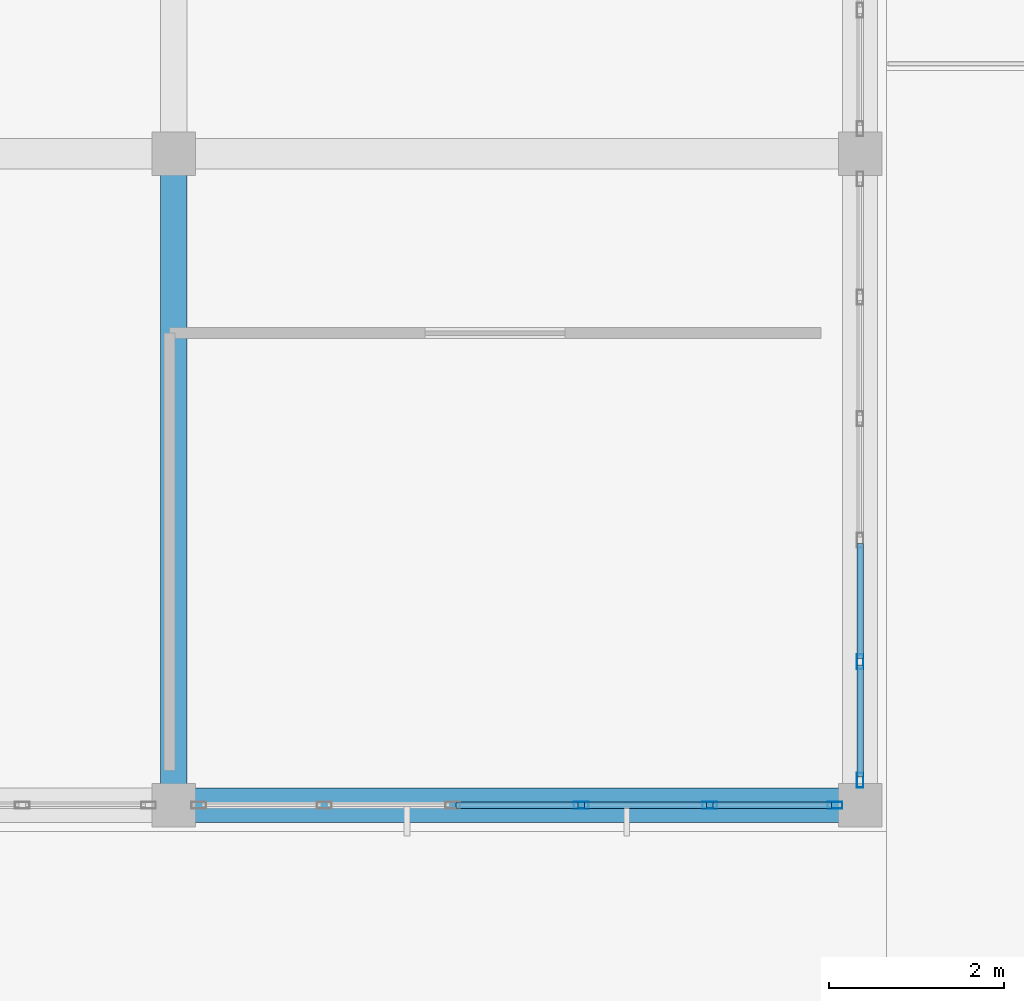
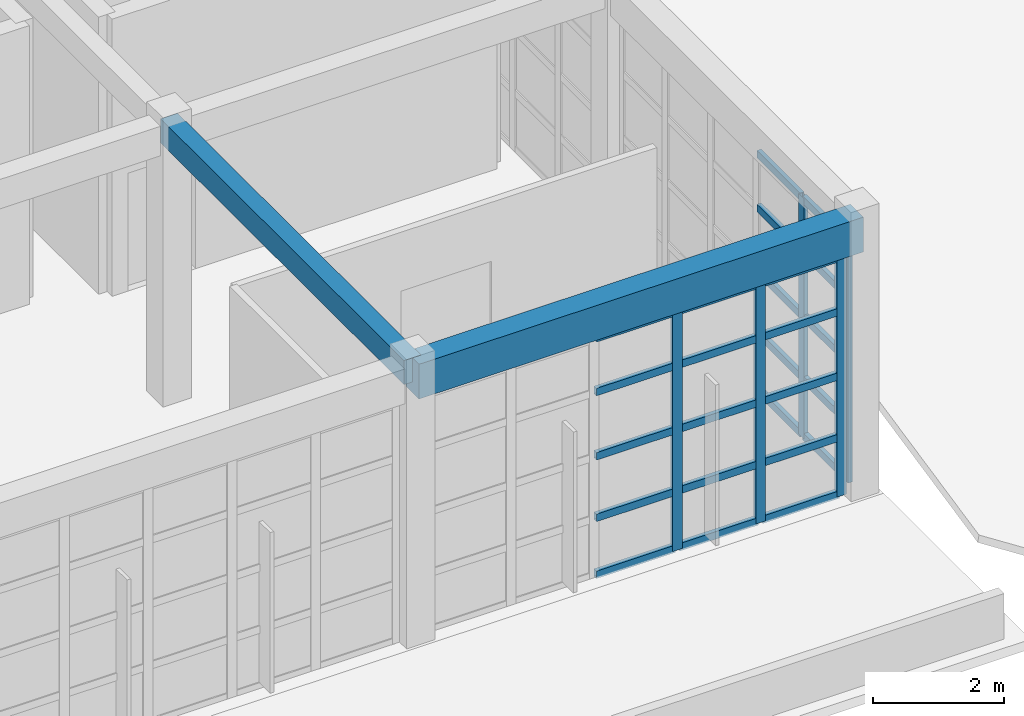
# One storey, part 8 of 103: 30 members, 2 beams, 2 elements without a shape of their own.
"""IFC4 building model written with IfcOpenShell, lengths in metres."""

from ifc_helpers import new_model, si_unit, direction, frame, origin, origin_2d, place, context, subcontext, project, spatial, rectangle, hollow_rectangle, extrude, material, layer, layer_set, material_profile, profile_set, type_object, element, aggregate, save


model = new_model("IFC4")

# Units and contexts
model_context = context("Model", 3, precision=1e-05, world=origin(), true_north=direction((0.0, 1.0)))
body_context = subcontext(model_context, "Body", "Model", "MODEL_VIEW")
ifc_project = project(units=[si_unit("LENGTHUNIT", "METRE"), si_unit("AREAUNIT", "SQUARE_METRE"), si_unit("VOLUMEUNIT", "CUBIC_METRE"), si_unit("PLANEANGLEUNIT", "RADIAN"), si_unit("MASSUNIT", "GRAM", prefix="KILO")], contexts=[model_context])

# Site, building, storey
site_placement = place(None, origin())
site = spatial("IfcSite", under=ifc_project, at=site_placement, CompositionType="ELEMENT")
building_placement = place(site_placement, origin())
building = spatial("IfcBuilding", under=site, at=building_placement, Name="Candilejo Ridge Gondola Terminal", CompositionType="ELEMENT")
storey_placement = place(building_placement, frame((0.0, 0.0, 9.0)))
storey = spatial("IfcBuildingStorey", under=building, at=storey_placement, Name="L02", CompositionType="ELEMENT", Elevation=9.0)

# Curtain wall, members
ifc_material_1 = material(Name="Anodised aluminium AA 6063-T6", Category="aluminium")
ifc_layer_1 = layer(ifc_material_1, 0.169921875)
ifc_layer_set_1 = layer_set([ifc_layer_1], Name="ARC-CW-GALLERY-3200-735X449")
curtain_wall_type_1 = type_object("IfcCurtainWallType", Name="ARC-CW-GALLERY-3200-735X449", PredefinedType="NOTDEFINED", material=ifc_layer_set_1)
curtain_wall_1_placement = place(storey_placement, origin())
curtain_wall_1 = element("IfcCurtainWall", 1, at=curtain_wall_1_placement, inside=storey, type_object=curtain_wall_type_1, Name="Curtain wall V1 L02-015", PredefinedType="NOTDEFINED")
ifc_material_2 = material(Name="Anodised aluminium AA 6063-T6", Category="aluminium")
ifc_material_profile_1 = material_profile(ifc_material_2, hollow_rectangle(XDim=0.074951171875, YDim=0.169921875, WallThickness=0.00390625, at=origin_2d()))
ifc_profile_set_1 = profile_set([ifc_material_profile_1], Name="Anodised aluminium AA 6063-T6")
member_type_1 = type_object("IfcMemberType", Name="ARC-CW-MULLION", PredefinedType="MULLION", material=ifc_profile_set_1)
member_1_placement = place(storey_placement, frame((32.659912109375, 10.800048828125, 0.0), z_axis=(0.0, 0.0, 1.0), x_axis=(0.0, 1.0, 0.0)))
member_1 = element("IfcMember", 2, at=member_1_placement, type_object=member_type_1, Name="CW-73X44 mullion 4", PredefinedType="MULLION", context=body_context, shape_type="SweptSolid", body=[
    extrude(hollow_rectangle(XDim=0.074951171875, YDim=0.169921875, WallThickness=0.00390625, at=origin_2d()), origin(), (0.0, 0.0, 1.0), 4.489990234375),
])
member_2_placement = place(storey_placement, frame((34.1298828125, 10.800048828125, 0.0), z_axis=(0.0, 0.0, 1.0), x_axis=(0.0, 1.0, 0.0)))
member_2 = element("IfcMember", 3, at=member_2_placement, type_object=member_type_1, Name="CW-73X44 mullion 5", PredefinedType="MULLION", context=body_context, shape_type="SweptSolid", body=[
    extrude(hollow_rectangle(XDim=0.074951171875, YDim=0.169921875, WallThickness=0.00390625, at=origin_2d()), origin(), (0.0, 0.0, 1.0), 4.489990234375),
])
member_3_placement = place(storey_placement, frame((35.5625, 10.800048828125, 0.0), z_axis=(0.0, 0.0, 1.0), x_axis=(0.0, 1.0, 0.0)))
member_3 = element("IfcMember", 4, at=member_3_placement, type_object=member_type_1, Name="CW-73X44 mullion 6", PredefinedType="MULLION", context=body_context, shape_type="SweptSolid", body=[
    extrude(hollow_rectangle(XDim=0.074951171875, YDim=0.169921875, WallThickness=0.00390625, at=origin_2d()), origin(), (0.0, 0.0, 1.0), 4.489990234375),
])

ifc_material_3 = material(Name="Anodised aluminium AA 6063-T6", Category="aluminium")
ifc_layer_2 = layer(ifc_material_3, 0.169921875)
ifc_layer_set_2 = layer_set([ifc_layer_2], Name="ARC-CW-GALLERY-3200-695X449")
curtain_wall_type_2 = type_object("IfcCurtainWallType", Name="ARC-CW-GALLERY-3200-695X449", PredefinedType="NOTDEFINED", material=ifc_layer_set_2)
curtain_wall_2_placement = place(storey_placement, origin())
curtain_wall_2 = element("IfcCurtainWall", 5, at=curtain_wall_2_placement, inside=storey, type_object=curtain_wall_type_2, Name="Curtain wall V1 L02-026", PredefinedType="NOTDEFINED")
member_4_placement = place(storey_placement, frame((35.85009765625, 11.08740234375, 0.0), z_axis=(0.0, 0.0, 1.0), x_axis=(-1.0, 0.0, 0.0)))
member_4 = element("IfcMember", 6, at=member_4_placement, type_object=member_type_1, Name="CW-69X44 mullion 1", PredefinedType="MULLION", context=body_context, shape_type="SweptSolid", body=[
    extrude(hollow_rectangle(XDim=0.074951171875, YDim=0.169921875, WallThickness=0.00390625, at=origin_2d()), origin(), (0.0, 0.0, 1.0), 4.489990234375),
])
member_5_placement = place(storey_placement, frame((35.85009765625, 12.43994140625, 0.0), z_axis=(0.0, 0.0, 1.0), x_axis=(-1.0, 0.0, 0.0)))
member_5 = element("IfcMember", 7, at=member_5_placement, type_object=member_type_1, Name="CW-69X44 mullion 2", PredefinedType="MULLION", context=body_context, shape_type="SweptSolid", body=[
    extrude(hollow_rectangle(XDim=0.074951171875, YDim=0.169921875, WallThickness=0.00390625, at=origin_2d()), origin(), (0.0, 0.0, 1.0), 4.489990234375),
])

# Member
ifc_material_4 = material(Name="Anodised aluminium AA 6063-T6", Category="aluminium")
ifc_material_profile_2 = material_profile(ifc_material_4, hollow_rectangle(XDim=0.074951171875, YDim=0.139892578125, WallThickness=0.00390625, at=origin_2d()))
ifc_profile_set_2 = profile_set([ifc_material_profile_2], Name="Anodised aluminium AA 6063-T6")
member_type_2 = type_object("IfcMemberType", Name="ARC-CW-TRANSOM", PredefinedType="USERDEFINED", material=ifc_profile_set_2)
member_6_placement = place(storey_placement, frame((31.2275390625, 10.800048828125, 0.03759765625), z_axis=(1.0, 0.0, 0.0), x_axis=(0.0, 1.0, 0.0)))
member_6 = element("IfcMember", 8, at=member_6_placement, type_object=member_type_2, Name="CW-73X44 transom 3.1", ObjectType="TRANSOM", PredefinedType="USERDEFINED", context=body_context, shape_type="SweptSolid", body=[
    extrude(hollow_rectangle(XDim=0.074951171875, YDim=0.139892578125, WallThickness=0.00390625, at=origin_2d()), origin(), (0.0, 0.0, 1.0), 1.39501953125),
])

member_7_placement = place(storey_placement, frame((31.2275390625, 10.800048828125, 1.10009765625), z_axis=(1.0, 0.0, 0.0), x_axis=(0.0, 1.0, 0.0)))
member_7 = element("IfcMember", 9, at=member_7_placement, type_object=member_type_2, Name="CW-73X44 transom 3.2", ObjectType="TRANSOM", PredefinedType="USERDEFINED", context=body_context, shape_type="SweptSolid", body=[
    extrude(hollow_rectangle(XDim=0.074951171875, YDim=0.139892578125, WallThickness=0.00390625, at=origin_2d()), origin(), (0.0, 0.0, 1.0), 1.39501953125),
])

member_8_placement = place(storey_placement, frame((31.2275390625, 10.800048828125, 2.25), z_axis=(1.0, 0.0, 0.0), x_axis=(0.0, 1.0, 0.0)))
member_8 = element("IfcMember", 10, at=member_8_placement, type_object=member_type_2, Name="CW-73X44 transom 3.3", ObjectType="TRANSOM", PredefinedType="USERDEFINED", context=body_context, shape_type="SweptSolid", body=[
    extrude(hollow_rectangle(XDim=0.074951171875, YDim=0.139892578125, WallThickness=0.00390625, at=origin_2d()), origin(), (0.0, 0.0, 1.0), 1.39501953125),
])

member_9_placement = place(storey_placement, frame((31.2275390625, 10.800048828125, 3.449951171875), z_axis=(1.0, 0.0, 0.0), x_axis=(0.0, 1.0, 0.0)))
member_9 = element("IfcMember", 11, at=member_9_placement, type_object=member_type_2, Name="CW-73X44 transom 3.4", ObjectType="TRANSOM", PredefinedType="USERDEFINED", context=body_context, shape_type="SweptSolid", body=[
    extrude(hollow_rectangle(XDim=0.074951171875, YDim=0.139892578125, WallThickness=0.00390625, at=origin_2d()), origin(), (0.0, 0.0, 1.0), 1.39501953125),
])

member_10_placement = place(storey_placement, frame((31.2275390625, 10.800048828125, 4.452392578125), z_axis=(1.0, 0.0, 0.0), x_axis=(0.0, 1.0, 0.0)))
member_10 = element("IfcMember", 12, at=member_10_placement, type_object=member_type_2, Name="CW-73X44 transom 3.5", ObjectType="TRANSOM", PredefinedType="USERDEFINED", context=body_context, shape_type="SweptSolid", body=[
    extrude(hollow_rectangle(XDim=0.074951171875, YDim=0.139892578125, WallThickness=0.00390625, at=origin_2d()), origin(), (0.0, 0.0, 1.0), 1.39501953125),
])

member_11_placement = place(storey_placement, frame((32.697509765625, 10.800048828125, 0.03759765625), z_axis=(1.0, 0.0, 0.0), x_axis=(0.0, 1.0, 0.0)))
member_11 = element("IfcMember", 13, at=member_11_placement, type_object=member_type_2, Name="CW-73X44 transom 4.1", ObjectType="TRANSOM", PredefinedType="USERDEFINED", context=body_context, shape_type="SweptSolid", body=[
    extrude(hollow_rectangle(XDim=0.074951171875, YDim=0.139892578125, WallThickness=0.00390625, at=origin_2d()), origin(), (0.0, 0.0, 1.0), 1.39501953125),
])

member_12_placement = place(storey_placement, frame((32.697509765625, 10.800048828125, 1.10009765625), z_axis=(1.0, 0.0, 0.0), x_axis=(0.0, 1.0, 0.0)))
member_12 = element("IfcMember", 14, at=member_12_placement, type_object=member_type_2, Name="CW-73X44 transom 4.2", ObjectType="TRANSOM", PredefinedType="USERDEFINED", context=body_context, shape_type="SweptSolid", body=[
    extrude(hollow_rectangle(XDim=0.074951171875, YDim=0.139892578125, WallThickness=0.00390625, at=origin_2d()), origin(), (0.0, 0.0, 1.0), 1.39501953125),
])

member_13_placement = place(storey_placement, frame((32.697509765625, 10.800048828125, 2.25), z_axis=(1.0, 0.0, 0.0), x_axis=(0.0, 1.0, 0.0)))
member_13 = element("IfcMember", 15, at=member_13_placement, type_object=member_type_2, Name="CW-73X44 transom 4.3", ObjectType="TRANSOM", PredefinedType="USERDEFINED", context=body_context, shape_type="SweptSolid", body=[
    extrude(hollow_rectangle(XDim=0.074951171875, YDim=0.139892578125, WallThickness=0.00390625, at=origin_2d()), origin(), (0.0, 0.0, 1.0), 1.39501953125),
])

member_14_placement = place(storey_placement, frame((32.697509765625, 10.800048828125, 3.449951171875), z_axis=(1.0, 0.0, 0.0), x_axis=(0.0, 1.0, 0.0)))
member_14 = element("IfcMember", 16, at=member_14_placement, type_object=member_type_2, Name="CW-73X44 transom 4.4", ObjectType="TRANSOM", PredefinedType="USERDEFINED", context=body_context, shape_type="SweptSolid", body=[
    extrude(hollow_rectangle(XDim=0.074951171875, YDim=0.139892578125, WallThickness=0.00390625, at=origin_2d()), origin(), (0.0, 0.0, 1.0), 1.39501953125),
])

member_15_placement = place(storey_placement, frame((32.697509765625, 10.800048828125, 4.452392578125), z_axis=(1.0, 0.0, 0.0), x_axis=(0.0, 1.0, 0.0)))
member_15 = element("IfcMember", 17, at=member_15_placement, type_object=member_type_2, Name="CW-73X44 transom 4.5", ObjectType="TRANSOM", PredefinedType="USERDEFINED", context=body_context, shape_type="SweptSolid", body=[
    extrude(hollow_rectangle(XDim=0.074951171875, YDim=0.139892578125, WallThickness=0.00390625, at=origin_2d()), origin(), (0.0, 0.0, 1.0), 1.39501953125),
])

member_16_placement = place(storey_placement, frame((34.16748046875, 10.800048828125, 0.03759765625), z_axis=(1.0, 0.0, 0.0), x_axis=(0.0, 1.0, 0.0)))
member_16 = element("IfcMember", 18, at=member_16_placement, type_object=member_type_2, Name="CW-73X44 transom 5.1", ObjectType="TRANSOM", PredefinedType="USERDEFINED", context=body_context, shape_type="SweptSolid", body=[
    extrude(hollow_rectangle(XDim=0.074951171875, YDim=0.139892578125, WallThickness=0.00390625, at=origin_2d()), origin(), (0.0, 0.0, 1.0), 1.357421875),
])

member_17_placement = place(storey_placement, frame((34.16748046875, 10.800048828125, 1.10009765625), z_axis=(1.0, 0.0, 0.0), x_axis=(0.0, 1.0, 0.0)))
member_17 = element("IfcMember", 19, at=member_17_placement, type_object=member_type_2, Name="CW-73X44 transom 5.2", ObjectType="TRANSOM", PredefinedType="USERDEFINED", context=body_context, shape_type="SweptSolid", body=[
    extrude(hollow_rectangle(XDim=0.074951171875, YDim=0.139892578125, WallThickness=0.00390625, at=origin_2d()), origin(), (0.0, 0.0, 1.0), 1.357421875),
])

member_18_placement = place(storey_placement, frame((34.16748046875, 10.800048828125, 2.25), z_axis=(1.0, 0.0, 0.0), x_axis=(0.0, 1.0, 0.0)))
member_18 = element("IfcMember", 20, at=member_18_placement, type_object=member_type_2, Name="CW-73X44 transom 5.3", ObjectType="TRANSOM", PredefinedType="USERDEFINED", context=body_context, shape_type="SweptSolid", body=[
    extrude(hollow_rectangle(XDim=0.074951171875, YDim=0.139892578125, WallThickness=0.00390625, at=origin_2d()), origin(), (0.0, 0.0, 1.0), 1.357421875),
])

member_19_placement = place(storey_placement, frame((34.16748046875, 10.800048828125, 3.449951171875), z_axis=(1.0, 0.0, 0.0), x_axis=(0.0, 1.0, 0.0)))
member_19 = element("IfcMember", 21, at=member_19_placement, type_object=member_type_2, Name="CW-73X44 transom 5.4", ObjectType="TRANSOM", PredefinedType="USERDEFINED", context=body_context, shape_type="SweptSolid", body=[
    extrude(hollow_rectangle(XDim=0.074951171875, YDim=0.139892578125, WallThickness=0.00390625, at=origin_2d()), origin(), (0.0, 0.0, 1.0), 1.357421875),
])

member_20_placement = place(storey_placement, frame((34.16748046875, 10.800048828125, 4.452392578125), z_axis=(1.0, 0.0, 0.0), x_axis=(0.0, 1.0, 0.0)))
member_20 = element("IfcMember", 22, at=member_20_placement, type_object=member_type_2, Name="CW-73X44 transom 5.5", ObjectType="TRANSOM", PredefinedType="USERDEFINED", context=body_context, shape_type="SweptSolid", body=[
    extrude(hollow_rectangle(XDim=0.074951171875, YDim=0.139892578125, WallThickness=0.00390625, at=origin_2d()), origin(), (0.0, 0.0, 1.0), 1.357421875),
])

aggregate(curtain_wall_1, [member_1, member_2, member_3, member_6, member_7, member_8, member_9, member_10, member_11, member_12, member_13, member_14, member_15, member_16, member_17, member_18, member_19, member_20])

member_21_placement = place(storey_placement, frame((35.85009765625, 11.125, 0.03759765625), z_axis=(0.0, 1.0, 0.0), x_axis=(-1.0, 0.0, 0.0)))
member_21 = element("IfcMember", 23, at=member_21_placement, type_object=member_type_2, Name="CW-69X44 transom 1.1", ObjectType="TRANSOM", PredefinedType="USERDEFINED", context=body_context, shape_type="SweptSolid", body=[
    extrude(hollow_rectangle(XDim=0.074951171875, YDim=0.139892578125, WallThickness=0.00390625, at=origin_2d()), origin(), (0.0, 0.0, 1.0), 1.277587890625),
])

member_22_placement = place(storey_placement, frame((35.85009765625, 11.125, 1.10009765625), z_axis=(0.0, 1.0, 0.0), x_axis=(-1.0, 0.0, 0.0)))
member_22 = element("IfcMember", 24, at=member_22_placement, type_object=member_type_2, Name="CW-69X44 transom 1.2", ObjectType="TRANSOM", PredefinedType="USERDEFINED", context=body_context, shape_type="SweptSolid", body=[
    extrude(hollow_rectangle(XDim=0.074951171875, YDim=0.139892578125, WallThickness=0.00390625, at=origin_2d()), origin(), (0.0, 0.0, 1.0), 1.277587890625),
])

member_23_placement = place(storey_placement, frame((35.85009765625, 11.125, 2.25), z_axis=(0.0, 1.0, 0.0), x_axis=(-1.0, 0.0, 0.0)))
member_23 = element("IfcMember", 25, at=member_23_placement, type_object=member_type_2, Name="CW-69X44 transom 1.3", ObjectType="TRANSOM", PredefinedType="USERDEFINED", context=body_context, shape_type="SweptSolid", body=[
    extrude(hollow_rectangle(XDim=0.074951171875, YDim=0.139892578125, WallThickness=0.00390625, at=origin_2d()), origin(), (0.0, 0.0, 1.0), 1.277587890625),
])

member_24_placement = place(storey_placement, frame((35.85009765625, 11.125, 3.449951171875), z_axis=(0.0, 1.0, 0.0), x_axis=(-1.0, 0.0, 0.0)))
member_24 = element("IfcMember", 26, at=member_24_placement, type_object=member_type_2, Name="CW-69X44 transom 1.4", ObjectType="TRANSOM", PredefinedType="USERDEFINED", context=body_context, shape_type="SweptSolid", body=[
    extrude(hollow_rectangle(XDim=0.074951171875, YDim=0.139892578125, WallThickness=0.00390625, at=origin_2d()), origin(), (0.0, 0.0, 1.0), 1.277587890625),
])

member_25_placement = place(storey_placement, frame((35.85009765625, 11.125, 4.452392578125), z_axis=(0.0, 1.0, 0.0), x_axis=(-1.0, 0.0, 0.0)))
member_25 = element("IfcMember", 27, at=member_25_placement, type_object=member_type_2, Name="CW-69X44 transom 1.5", ObjectType="TRANSOM", PredefinedType="USERDEFINED", context=body_context, shape_type="SweptSolid", body=[
    extrude(hollow_rectangle(XDim=0.074951171875, YDim=0.139892578125, WallThickness=0.00390625, at=origin_2d()), origin(), (0.0, 0.0, 1.0), 1.277587890625),
])

member_26_placement = place(storey_placement, frame((35.85009765625, 12.4775390625, 0.03759765625), z_axis=(0.0, 1.0, 0.0), x_axis=(-1.0, 0.0, 0.0)))
member_26 = element("IfcMember", 28, at=member_26_placement, type_object=member_type_2, Name="CW-69X44 transom 2.1", ObjectType="TRANSOM", PredefinedType="USERDEFINED", context=body_context, shape_type="SweptSolid", body=[
    extrude(hollow_rectangle(XDim=0.074951171875, YDim=0.139892578125, WallThickness=0.00390625, at=origin_2d()), origin(), (0.0, 0.0, 1.0), 1.31494140625),
])

member_27_placement = place(storey_placement, frame((35.85009765625, 12.4775390625, 1.10009765625), z_axis=(0.0, 1.0, 0.0), x_axis=(-1.0, 0.0, 0.0)))
member_27 = element("IfcMember", 29, at=member_27_placement, type_object=member_type_2, Name="CW-69X44 transom 2.2", ObjectType="TRANSOM", PredefinedType="USERDEFINED", context=body_context, shape_type="SweptSolid", body=[
    extrude(hollow_rectangle(XDim=0.074951171875, YDim=0.139892578125, WallThickness=0.00390625, at=origin_2d()), origin(), (0.0, 0.0, 1.0), 1.31494140625),
])

member_28_placement = place(storey_placement, frame((35.85009765625, 12.4775390625, 2.25), z_axis=(0.0, 1.0, 0.0), x_axis=(-1.0, 0.0, 0.0)))
member_28 = element("IfcMember", 30, at=member_28_placement, type_object=member_type_2, Name="CW-69X44 transom 2.3", ObjectType="TRANSOM", PredefinedType="USERDEFINED", context=body_context, shape_type="SweptSolid", body=[
    extrude(hollow_rectangle(XDim=0.074951171875, YDim=0.139892578125, WallThickness=0.00390625, at=origin_2d()), origin(), (0.0, 0.0, 1.0), 1.31494140625),
])

member_29_placement = place(storey_placement, frame((35.85009765625, 12.4775390625, 3.449951171875), z_axis=(0.0, 1.0, 0.0), x_axis=(-1.0, 0.0, 0.0)))
member_29 = element("IfcMember", 31, at=member_29_placement, type_object=member_type_2, Name="CW-69X44 transom 2.4", ObjectType="TRANSOM", PredefinedType="USERDEFINED", context=body_context, shape_type="SweptSolid", body=[
    extrude(hollow_rectangle(XDim=0.074951171875, YDim=0.139892578125, WallThickness=0.00390625, at=origin_2d()), origin(), (0.0, 0.0, 1.0), 1.31494140625),
])

member_30_placement = place(storey_placement, frame((35.85009765625, 12.4775390625, 4.452392578125), z_axis=(0.0, 1.0, 0.0), x_axis=(-1.0, 0.0, 0.0)))
member_30 = element("IfcMember", 32, at=member_30_placement, type_object=member_type_2, Name="CW-69X44 transom 2.5", ObjectType="TRANSOM", PredefinedType="USERDEFINED", context=body_context, shape_type="SweptSolid", body=[
    extrude(hollow_rectangle(XDim=0.074951171875, YDim=0.139892578125, WallThickness=0.00390625, at=origin_2d()), origin(), (0.0, 0.0, 1.0), 1.31494140625),
])

aggregate(curtain_wall_2, [member_4, member_5, member_21, member_22, member_23, member_24, member_25, member_26, member_27, member_28, member_29, member_30])

# Beams
ifc_material_5 = material(Name="Concrete f'c 35 MPa (C35/45)", Category="concrete")
ifc_material_profile_3 = material_profile(ifc_material_5, rectangle(XDim=0.300048828125, YDim=0.449951171875, at=origin_2d()))
ifc_profile_set_3 = profile_set([ifc_material_profile_3], Name="Concrete f'c 35 MPa (C35/45)")
beam_type_1 = type_object("IfcBeamType", Name="STR-BM-RC300X450", PredefinedType="BEAM", material=ifc_profile_set_3)
beam_1_placement = place(storey_placement, frame((28.0, 10.800048828125, 4.97509765625), z_axis=(0.0, 1.0, 0.0), x_axis=(-1.0, 0.0, 0.0)))
element("IfcBeam", 33, at=beam_1_placement, inside=storey, type_object=beam_type_1, Name="Beam Y V1 L02 Y02-Y03@X04", PredefinedType="BEAM", context=body_context, shape_type="SweptSolid", body=[
    extrude(rectangle(XDim=0.300048828125, YDim=0.449951171875, at=origin_2d()), origin(), (0.0, 0.0, 1.0), 7.449951171875),
])
ifc_material_6 = material(Name="Concrete f'c 35 MPa (C35/45)", Category="concrete")
ifc_material_profile_4 = material_profile(ifc_material_6, rectangle(XDim=0.39990234375, YDim=0.64990234375, at=origin_2d()))
ifc_profile_set_4 = profile_set([ifc_material_profile_4], Name="Concrete f'c 35 MPa (C35/45)")
beam_type_2 = type_object("IfcBeamType", Name="STR-SPN-RC400X650", PredefinedType="SPANDREL", material=ifc_profile_set_4)
beam_2_placement = place(storey_placement, frame((28.0, 10.800048828125, 4.875), z_axis=(1.0, 0.0, 0.0), x_axis=(0.0, 1.0, 0.0)))
element("IfcBeam", 34, at=beam_2_placement, inside=storey, type_object=beam_type_2, Name="Beam X V1 L02 X04-X05@Y02", PredefinedType="SPANDREL", context=body_context, shape_type="SweptSolid", body=[
    extrude(rectangle(XDim=0.39990234375, YDim=0.64990234375, at=origin_2d()), origin(), (0.0, 0.0, 1.0), 7.85009765625),
])

save(model, "model.ifc")
